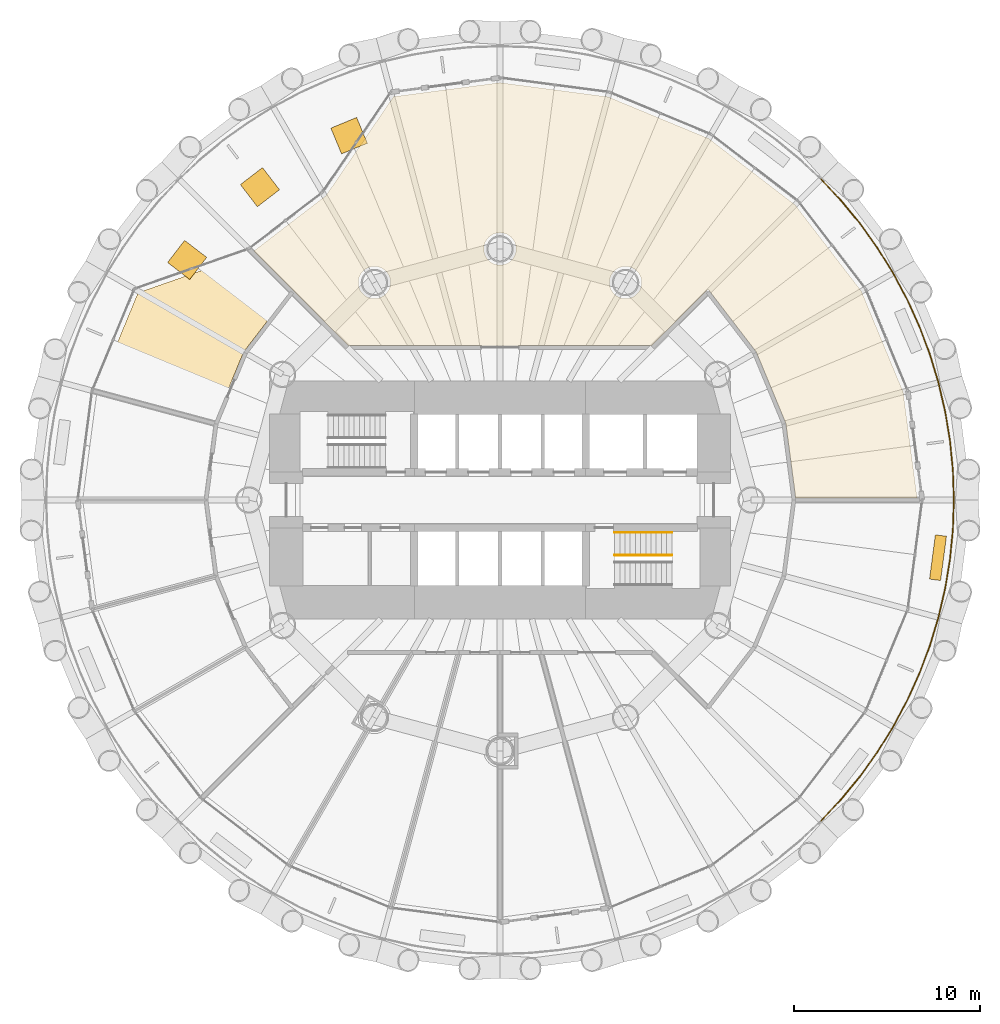
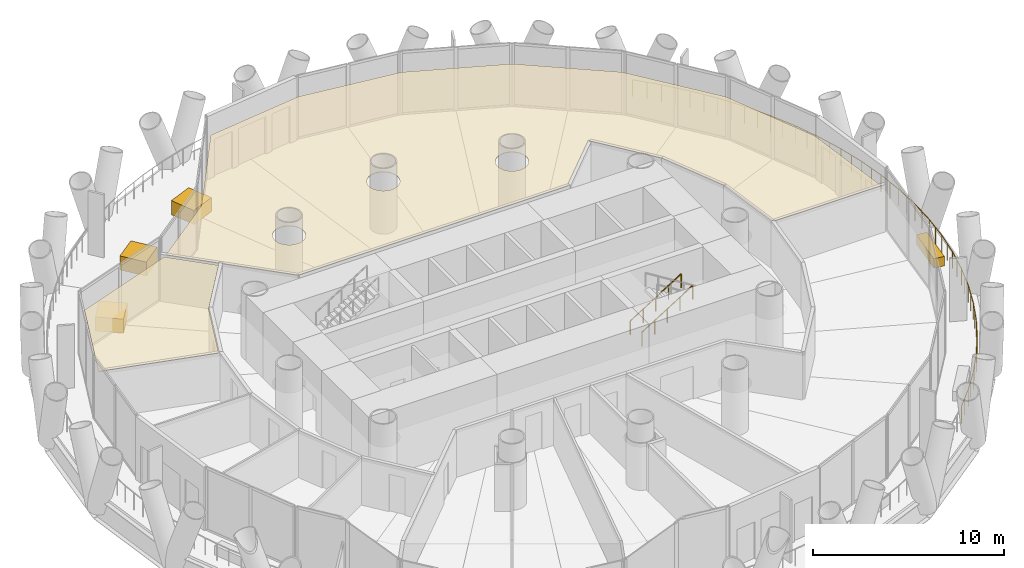
# One storey, part 13 of 14: 6 coverings, 3 railings.
"""IFC4 building model written with IfcOpenShell, lengths in metres."""

from ifc_helpers import new_model, si_unit, direction, frame, origin, origin_2d, place, context, subcontext, project, spatial, polyline, rectangle, circle, outline, extrude, material, layer, layer_set, type_object, element, save


model = new_model("IFC4")

# Units and contexts
model_context = context("Model", 3, precision=1e-05, world=origin(), true_north=direction((0.0, 1.0)))
body_context = subcontext(model_context, "Body", "Model", "MODEL_VIEW")
ifc_project = project(units=[si_unit("LENGTHUNIT", "METRE"), si_unit("AREAUNIT", "SQUARE_METRE"), si_unit("VOLUMEUNIT", "CUBIC_METRE"), si_unit("PLANEANGLEUNIT", "RADIAN"), si_unit("MASSUNIT", "GRAM", prefix="KILO")], contexts=[model_context])

# Site, building, storey
site_placement = place(None, origin())
site = spatial("IfcSite", under=ifc_project, at=site_placement, CompositionType="ELEMENT")
building_placement = place(site_placement, origin())
building = spatial("IfcBuilding", under=site, at=building_placement, Name="Qaws Media Tower", CompositionType="ELEMENT")
storey_placement = place(building_placement, frame((0.0, 0.0, 59.60009765625)))
storey = spatial("IfcBuildingStorey", under=building, at=storey_placement, Name="L12", CompositionType="ELEMENT", Elevation=59.60009765625)

# Coverings
ifc_material_1 = material(Name="40 perforated acoustic panels with mineral wool backing, suspended", Category="mineral fibre")
ifc_layer_1 = layer(ifc_material_1, 0.0400390625)
ifc_layer_set_1 = layer_set([ifc_layer_1], Name="Acoustic panel ceiling 40")
covering_type_1 = type_object("IfcCoveringType", Name="Acoustic panel ceiling 40", PredefinedType="CEILING", material=ifc_layer_set_1)
covering_1_placement = place(storey_placement, frame((0.0, 0.0, 2.849853515625)))
element("IfcCovering", 1, at=covering_1_placement, inside=storey, type_object=covering_type_1, Name="CL3 ceiling L12-02 Newsroom", PredefinedType="CEILING", context=body_context, shape_type="SweptSolid", body=[
    extrude(outline(polyline([(50.64306640625, 66.3583984375), (54.275390625, 71.681640625), (60.0, 72.435302734375), (65.806640625, 71.6708984375), (71.217529296875, 69.429443359375), (75.864013671875, 65.864013671875), (79.429443359375, 61.217529296875), (81.6708984375, 55.806640625), (82.42041015625, 50.112548828125), (75.898681640625, 50.112548828125), (75.37109375, 54.11865234375), (73.781494140625, 57.956787109375), (71.183349609375, 61.342529296875), (68.1533203125, 58.3125), (51.8466796875, 58.3125), (46.771484375, 63.3876953125), (50.64306640625, 66.3583984375)]), holes=[polyline([(54.0546875, 61.35791015625), (54.09130859375, 61.4658203125), (54.113525390625, 61.57763671875), (54.12109375, 61.69140625), (54.113525390625, 61.804931640625), (54.09130859375, 61.916748046875), (54.0546875, 62.024658203125), (54.00439453125, 62.126708984375), (53.94091796875, 62.2216796875), (53.865966796875, 62.30712890625), (53.7802734375, 62.38232421875), (53.685546875, 62.44580078125), (53.583251953125, 62.49609375), (53.475341796875, 62.53271484375), (53.36376953125, 62.554931640625), (53.25, 62.562255859375), (53.13623046875, 62.554931640625), (53.024658203125, 62.53271484375), (52.916748046875, 62.49609375), (52.814453125, 62.44580078125), (52.7197265625, 62.38232421875), (52.634033203125, 62.30712890625), (52.55908203125, 62.2216796875), (52.49560546875, 62.126708984375), (52.4453125, 62.024658203125), (52.40869140625, 61.916748046875), (52.386474609375, 61.804931640625), (52.37890625, 61.69140625), (52.386474609375, 61.57763671875), (52.40869140625, 61.4658203125), (52.4453125, 61.35791015625), (52.49560546875, 61.255859375), (52.55908203125, 61.1611328125), (52.634033203125, 61.075439453125), (52.7197265625, 61.000244140625), (52.814453125, 60.93701171875), (52.916748046875, 60.88671875), (53.024658203125, 60.85009765625), (53.13623046875, 60.827880859375), (53.25, 60.8203125), (53.36376953125, 60.827880859375), (53.475341796875, 60.85009765625), (53.583251953125, 60.88671875), (53.685546875, 60.93701171875), (53.7802734375, 61.000244140625), (53.865966796875, 61.075439453125), (53.94091796875, 61.1611328125), (54.00439453125, 61.255859375), (54.0546875, 61.35791015625)]), polyline([(60.8046875, 63.166748046875), (60.84130859375, 63.274658203125), (60.863525390625, 63.38623046875), (60.87109375, 63.5), (60.863525390625, 63.61376953125), (60.84130859375, 63.725341796875), (60.8046875, 63.833251953125), (60.75439453125, 63.935546875), (60.69091796875, 64.0302734375), (60.615966796875, 64.115966796875), (60.5302734375, 64.19091796875), (60.435546875, 64.25439453125), (60.333251953125, 64.3046875), (60.225341796875, 64.34130859375), (60.11376953125, 64.363525390625), (60.0, 64.37109375), (59.88623046875, 64.363525390625), (59.774658203125, 64.34130859375), (59.666748046875, 64.3046875), (59.564453125, 64.25439453125), (59.4697265625, 64.19091796875), (59.384033203125, 64.115966796875), (59.30908203125, 64.0302734375), (59.24560546875, 63.935546875), (59.1953125, 63.833251953125), (59.15869140625, 63.725341796875), (59.136474609375, 63.61376953125), (59.12890625, 63.5), (59.136474609375, 63.38623046875), (59.15869140625, 63.274658203125), (59.1953125, 63.166748046875), (59.24560546875, 63.064453125), (59.30908203125, 62.9697265625), (59.384033203125, 62.884033203125), (59.4697265625, 62.80908203125), (59.564453125, 62.74560546875), (59.666748046875, 62.6953125), (59.774658203125, 62.65869140625), (59.88623046875, 62.636474609375), (60.0, 62.62890625), (60.11376953125, 62.636474609375), (60.225341796875, 62.65869140625), (60.333251953125, 62.6953125), (60.435546875, 62.74560546875), (60.5302734375, 62.80908203125), (60.615966796875, 62.884033203125), (60.69091796875, 62.9697265625), (60.75439453125, 63.064453125), (60.8046875, 63.166748046875)]), polyline([(67.5546875, 61.35791015625), (67.59130859375, 61.4658203125), (67.613525390625, 61.57763671875), (67.62109375, 61.69140625), (67.613525390625, 61.804931640625), (67.59130859375, 61.916748046875), (67.5546875, 62.024658203125), (67.50439453125, 62.126708984375), (67.44091796875, 62.2216796875), (67.365966796875, 62.30712890625), (67.2802734375, 62.38232421875), (67.185546875, 62.44580078125), (67.083251953125, 62.49609375), (66.975341796875, 62.53271484375), (66.86376953125, 62.554931640625), (66.75, 62.562255859375), (66.63623046875, 62.554931640625), (66.524658203125, 62.53271484375), (66.416748046875, 62.49609375), (66.314453125, 62.44580078125), (66.2197265625, 62.38232421875), (66.134033203125, 62.30712890625), (66.05908203125, 62.2216796875), (65.99560546875, 62.126708984375), (65.9453125, 62.024658203125), (65.90869140625, 61.916748046875), (65.886474609375, 61.804931640625), (65.87890625, 61.69140625), (65.886474609375, 61.57763671875), (65.90869140625, 61.4658203125), (65.9453125, 61.35791015625), (65.99560546875, 61.255859375), (66.05908203125, 61.1611328125), (66.134033203125, 61.075439453125), (66.2197265625, 61.000244140625), (66.314453125, 60.93701171875), (66.416748046875, 60.88671875), (66.524658203125, 60.85009765625), (66.63623046875, 60.827880859375), (66.75, 60.8203125), (66.86376953125, 60.827880859375), (66.975341796875, 60.85009765625), (67.083251953125, 60.88671875), (67.185546875, 60.93701171875), (67.2802734375, 61.000244140625), (67.365966796875, 61.075439453125), (67.44091796875, 61.1611328125), (67.50439453125, 61.255859375), (67.5546875, 61.35791015625)])]), origin(), (0.0, 0.0, 1.0), 0.0400390625),
])
covering_2_placement = place(storey_placement, frame((0.0, 0.0, 2.849853515625)))
element("IfcCovering", 2, at=covering_2_placement, inside=storey, type_object=covering_type_1, Name="CL3 ceiling L12-03 News meeting room", PredefinedType="CEILING", context=body_context, shape_type="SweptSolid", body=[
    extrude(outline(polyline([(40.538818359375, 61.14111328125), (46.58251953125, 63.258544921875), (48.678466796875, 61.16259765625), (46.218505859375, 57.956787109375), (44.672119140625, 54.223388671875), (38.372802734375, 55.91162109375), (40.538818359375, 61.14111328125)])), origin(), (0.0, 0.0, 1.0), 0.0400390625),
])

# Railing
ifc_material_2 = material(Name="Stainless steel and glass guard", Category="steel")
railing_type_1 = type_object("IfcRailingType", Name="Balcony guard 1100", PredefinedType="GUARDRAIL", material=ifc_material_2)
railing_placement = place(storey_placement, frame((77.25341796875, 32.74658203125, 0.0)))
element("IfcRailing", 3, at=railing_placement, inside=storey, type_object=railing_type_1, Name="GR1 balcony guard L12-4", PredefinedType="GUARDRAIL", context=body_context, shape_type="SweptSolid", body=[
    extrude(circle(Radius=0.02392578125, at=origin_2d()), frame((0.0, 0.0, 1.076171875), z_axis=(0.683640981839, 0.729818476027, 0.0), x_axis=(-0.729818476027, 0.683640981839, 0.0)), (0.0, 0.0, 1.0), 1.5966796875),
    extrude(circle(Radius=0.02392578125, at=origin_2d()), frame((1.091552734375, 1.165283203125, 1.076171875), z_axis=(0.634361127386, 0.773036842629, 0.0), x_axis=(-0.773036842629, 0.634361127386, 0.0)), (0.0, 0.0, 1.0), 1.5966796875),
    extrude(circle(Radius=0.02392578125, at=origin_2d()), frame((2.1044921875, 2.399658203125, 1.076171875), z_axis=(0.582438119358, 0.812875043976, 0.0), x_axis=(-0.812875043976, 0.582438119358, 0.0)), (0.0, 0.0, 1.0), 1.5966796875),
    extrude(circle(Radius=0.02392578125, at=origin_2d()), frame((3.034423828125, 3.697509765625, 1.076171875), z_axis=(0.528101023183, 0.849181552622, 0.0), x_axis=(-0.849181552622, 0.528101023183, 0.0)), (0.0, 0.0, 1.0), 1.5966796875),
    extrude(circle(Radius=0.02392578125, at=origin_2d()), frame((3.877685546875, 5.053466796875, 1.076171875), z_axis=(0.471389573817, 0.881925093019, 0.0), x_axis=(-0.881925093019, 0.471389573817, 0.0)), (0.0, 0.0, 1.0), 1.5966796875),
    extrude(circle(Radius=0.02392578125, at=origin_2d()), frame((4.63037109375, 6.461669921875, 1.076171875), z_axis=(0.412696679624, 0.910868514456, 0.0), x_axis=(-0.910868514456, 0.412696679624, 0.0)), (0.0, 0.0, 1.0), 1.5966796875),
    extrude(circle(Radius=0.02392578125, at=origin_2d()), frame((5.289306640625, 7.916015625, 1.076171875), z_axis=(0.352145406881, 0.935945304178, 0.0), x_axis=(-0.935945304178, 0.352145406881, 0.0)), (0.0, 0.0, 1.0), 1.5966796875),
    extrude(circle(Radius=0.02392578125, at=origin_2d()), frame((5.8515625, 9.410400390625, 1.076171875), z_axis=(0.290376596051, 0.956912447649, 0.0), x_axis=(-0.956912447649, 0.290376596051, 0.0)), (0.0, 0.0, 1.0), 1.5966796875),
    extrude(circle(Radius=0.02392578125, at=origin_2d()), frame((6.315185546875, 10.938232421875, 1.076171875), z_axis=(0.227070097211, 0.973878416925, 0.0), x_axis=(-0.973878416925, 0.227070097211, 0.0)), (0.0, 0.0, 1.0), 1.5966796875),
    extrude(circle(Radius=0.02392578125, at=origin_2d()), frame((6.677734375, 12.4931640625, 1.076171875), z_axis=(0.162836738606, 0.986653027442, 0.0), x_axis=(-0.986653027442, 0.162836738606, 0.0)), (0.0, 0.0, 1.0), 1.5966796875),
    extrude(circle(Radius=0.02392578125, at=origin_2d()), frame((6.937744140625, 14.068603515625, 1.076171875), z_axis=(0.098019858359, 0.995184458966, 0.0), x_axis=(-0.995184458966, 0.098019858359, 0.0)), (0.0, 0.0, 1.0), 1.596435546875),
    extrude(circle(Radius=0.02392578125, at=origin_2d()), frame((7.09423828125, 15.657470703125, 1.076171875), z_axis=(0.032719201604, 0.999464583588, 0.0), x_axis=(-0.999464583588, 0.032719201604, 0.0)), (0.0, 0.0, 1.0), 1.596923828125),
    extrude(circle(Radius=0.02392578125, at=origin_2d()), frame((7.146484375, 17.25341796875, 1.076171875), z_axis=(-0.032719201604, 0.999464583588, 0.0), x_axis=(-0.999464583588, -0.032719201604, 0.0)), (0.0, 0.0, 1.0), 1.596923828125),
    extrude(circle(Radius=0.02392578125, at=origin_2d()), frame((7.09423828125, 18.849365234375, 1.076171875), z_axis=(-0.098019858359, 0.995184458966, 0.0), x_axis=(-0.995184458966, -0.098019858359, 0.0)), (0.0, 0.0, 1.0), 1.596435546875),
    extrude(circle(Radius=0.02392578125, at=origin_2d()), frame((6.937744140625, 20.438232421875, 1.076171875), z_axis=(-0.162836738606, 0.986653027442, 0.0), x_axis=(-0.986653027442, -0.162836738606, 0.0)), (0.0, 0.0, 1.0), 1.5966796875),
    extrude(circle(Radius=0.02392578125, at=origin_2d()), frame((6.677734375, 22.013671875, 1.076171875), z_axis=(-0.227070097211, 0.973878416925, 0.0), x_axis=(-0.973878416925, -0.227070097211, 0.0)), (0.0, 0.0, 1.0), 1.5966796875),
    extrude(circle(Radius=0.02392578125, at=origin_2d()), frame((6.315185546875, 23.568603515625, 1.076171875), z_axis=(-0.290376596051, 0.956912447649, 0.0), x_axis=(-0.956912447649, -0.290376596051, 0.0)), (0.0, 0.0, 1.0), 1.5966796875),
    extrude(circle(Radius=0.02392578125, at=origin_2d()), frame((5.8515625, 25.096435546875, 1.076171875), z_axis=(-0.352145406881, 0.935945304178, 0.0), x_axis=(-0.935945304178, -0.352145406881, 0.0)), (0.0, 0.0, 1.0), 1.5966796875),
    extrude(circle(Radius=0.02392578125, at=origin_2d()), frame((5.289306640625, 26.5908203125, 1.076171875), z_axis=(-0.412696679624, 0.910868514456, 0.0), x_axis=(-0.910868514456, -0.412696679624, 0.0)), (0.0, 0.0, 1.0), 1.5966796875),
    extrude(circle(Radius=0.02392578125, at=origin_2d()), frame((4.63037109375, 28.045166015625, 1.076171875), z_axis=(-0.471389573817, 0.881925093019, 0.0), x_axis=(-0.881925093019, -0.471389573817, 0.0)), (0.0, 0.0, 1.0), 1.5966796875),
    extrude(circle(Radius=0.02392578125, at=origin_2d()), frame((3.877685546875, 29.453369140625, 1.076171875), z_axis=(-0.528101023183, 0.849181552622, 0.0), x_axis=(-0.849181552622, -0.528101023183, 0.0)), (0.0, 0.0, 1.0), 1.5966796875),
    extrude(circle(Radius=0.02392578125, at=origin_2d()), frame((3.034423828125, 30.809326171875, 1.076171875), z_axis=(-0.582438119358, 0.812875043976, 0.0), x_axis=(-0.812875043976, -0.582438119358, 0.0)), (0.0, 0.0, 1.0), 1.5966796875),
    extrude(circle(Radius=0.02392578125, at=origin_2d()), frame((2.1044921875, 32.107177734375, 1.076171875), z_axis=(-0.634361127386, 0.773036842629, 0.0), x_axis=(-0.773036842629, -0.634361127386, 0.0)), (0.0, 0.0, 1.0), 1.5966796875),
    extrude(circle(Radius=0.02392578125, at=origin_2d()), frame((1.091552734375, 33.341552734375, 1.076171875), z_axis=(-0.683640981839, 0.729818476027, 0.0), x_axis=(-0.729818476027, -0.683640981839, 0.0)), (0.0, 0.0, 1.0), 1.5966796875),
    extrude(circle(Radius=0.02099609375, at=origin_2d()), origin(), (0.0, 0.0, 1.0), 1.052001953125),
    extrude(circle(Radius=0.02099609375, at=origin_2d()), frame((0.5458984375, 0.58251953125, 0.0)), (0.0, 0.0, 1.0), 1.052001953125),
    extrude(circle(Radius=0.02099609375, at=origin_2d()), frame((1.091552734375, 1.165283203125, 0.0)), (0.0, 0.0, 1.0), 1.052001953125),
    extrude(circle(Radius=0.02099609375, at=origin_2d()), frame((1.59814453125, 1.782470703125, 0.0)), (0.0, 0.0, 1.0), 1.052001953125),
    extrude(circle(Radius=0.02099609375, at=origin_2d()), frame((2.1044921875, 2.399658203125, 0.0)), (0.0, 0.0, 1.0), 1.052001953125),
    extrude(circle(Radius=0.02099609375, at=origin_2d()), frame((2.5693359375, 3.048583984375, 0.0)), (0.0, 0.0, 1.0), 1.052001953125),
    extrude(circle(Radius=0.02099609375, at=origin_2d()), frame((3.034423828125, 3.697509765625, 0.0)), (0.0, 0.0, 1.0), 1.052001953125),
    extrude(circle(Radius=0.02099609375, at=origin_2d()), frame((3.4560546875, 4.37548828125, 0.0)), (0.0, 0.0, 1.0), 1.052001953125),
    extrude(circle(Radius=0.02099609375, at=origin_2d()), frame((3.877685546875, 5.053466796875, 0.0)), (0.0, 0.0, 1.0), 1.052001953125),
    extrude(circle(Radius=0.02099609375, at=origin_2d()), frame((4.25390625, 5.757568359375, 0.0)), (0.0, 0.0, 1.0), 1.052001953125),
    extrude(circle(Radius=0.02099609375, at=origin_2d()), frame((4.63037109375, 6.461669921875, 0.0)), (0.0, 0.0, 1.0), 1.052001953125),
    extrude(circle(Radius=0.02099609375, at=origin_2d()), frame((4.9599609375, 7.18896484375, 0.0)), (0.0, 0.0, 1.0), 1.052001953125),
    extrude(circle(Radius=0.02099609375, at=origin_2d()), frame((5.289306640625, 7.916015625, 0.0)), (0.0, 0.0, 1.0), 1.052001953125),
    extrude(circle(Radius=0.02099609375, at=origin_2d()), frame((5.5703125, 8.6630859375, 0.0)), (0.0, 0.0, 1.0), 1.052001953125),
    extrude(circle(Radius=0.02099609375, at=origin_2d()), frame((5.8515625, 9.410400390625, 0.0)), (0.0, 0.0, 1.0), 1.052001953125),
    extrude(circle(Radius=0.02099609375, at=origin_2d()), frame((6.08349609375, 10.17431640625, 0.0)), (0.0, 0.0, 1.0), 1.052001953125),
    extrude(circle(Radius=0.02099609375, at=origin_2d()), frame((6.315185546875, 10.938232421875, 0.0)), (0.0, 0.0, 1.0), 1.052001953125),
    extrude(circle(Radius=0.02099609375, at=origin_2d()), frame((6.49658203125, 11.7158203125, 0.0)), (0.0, 0.0, 1.0), 1.052001953125),
    extrude(circle(Radius=0.02099609375, at=origin_2d()), frame((6.677734375, 12.4931640625, 0.0)), (0.0, 0.0, 1.0), 1.052001953125),
    extrude(circle(Radius=0.02099609375, at=origin_2d()), frame((6.8076171875, 13.28076171875, 0.0)), (0.0, 0.0, 1.0), 1.052001953125),
    extrude(circle(Radius=0.02099609375, at=origin_2d()), frame((6.937744140625, 14.068603515625, 0.0)), (0.0, 0.0, 1.0), 1.052001953125),
    extrude(circle(Radius=0.02099609375, at=origin_2d()), frame((7.01611328125, 14.863037109375, 0.0)), (0.0, 0.0, 1.0), 1.052001953125),
    extrude(circle(Radius=0.02099609375, at=origin_2d()), frame((7.09423828125, 15.657470703125, 0.0)), (0.0, 0.0, 1.0), 1.052001953125),
    extrude(circle(Radius=0.02099609375, at=origin_2d()), frame((7.120361328125, 16.45556640625, 0.0)), (0.0, 0.0, 1.0), 1.052001953125),
    extrude(circle(Radius=0.02099609375, at=origin_2d()), frame((7.146484375, 17.25341796875, 0.0)), (0.0, 0.0, 1.0), 1.052001953125),
    extrude(circle(Radius=0.02099609375, at=origin_2d()), frame((7.120361328125, 18.05126953125, 0.0)), (0.0, 0.0, 1.0), 1.052001953125),
    extrude(circle(Radius=0.02099609375, at=origin_2d()), frame((7.09423828125, 18.849365234375, 0.0)), (0.0, 0.0, 1.0), 1.052001953125),
    extrude(circle(Radius=0.02099609375, at=origin_2d()), frame((7.01611328125, 19.643798828125, 0.0)), (0.0, 0.0, 1.0), 1.052001953125),
    extrude(circle(Radius=0.02099609375, at=origin_2d()), frame((6.937744140625, 20.438232421875, 0.0)), (0.0, 0.0, 1.0), 1.052001953125),
    extrude(circle(Radius=0.02099609375, at=origin_2d()), frame((6.8076171875, 21.22607421875, 0.0)), (0.0, 0.0, 1.0), 1.052001953125),
    extrude(circle(Radius=0.02099609375, at=origin_2d()), frame((6.677734375, 22.013671875, 0.0)), (0.0, 0.0, 1.0), 1.052001953125),
    extrude(circle(Radius=0.02099609375, at=origin_2d()), frame((6.49658203125, 22.791015625, 0.0)), (0.0, 0.0, 1.0), 1.052001953125),
    extrude(circle(Radius=0.02099609375, at=origin_2d()), frame((6.315185546875, 23.568603515625, 0.0)), (0.0, 0.0, 1.0), 1.052001953125),
    extrude(circle(Radius=0.02099609375, at=origin_2d()), frame((6.08349609375, 24.33251953125, 0.0)), (0.0, 0.0, 1.0), 1.052001953125),
    extrude(circle(Radius=0.02099609375, at=origin_2d()), frame((5.8515625, 25.096435546875, 0.0)), (0.0, 0.0, 1.0), 1.052001953125),
    extrude(circle(Radius=0.02099609375, at=origin_2d()), frame((5.5703125, 25.84375, 0.0)), (0.0, 0.0, 1.0), 1.052001953125),
    extrude(circle(Radius=0.02099609375, at=origin_2d()), frame((5.289306640625, 26.5908203125, 0.0)), (0.0, 0.0, 1.0), 1.052001953125),
    extrude(circle(Radius=0.02099609375, at=origin_2d()), frame((4.9599609375, 27.31787109375, 0.0)), (0.0, 0.0, 1.0), 1.052001953125),
    extrude(circle(Radius=0.02099609375, at=origin_2d()), frame((4.63037109375, 28.045166015625, 0.0)), (0.0, 0.0, 1.0), 1.052001953125),
    extrude(circle(Radius=0.02099609375, at=origin_2d()), frame((4.25390625, 28.749267578125, 0.0)), (0.0, 0.0, 1.0), 1.052001953125),
    extrude(circle(Radius=0.02099609375, at=origin_2d()), frame((3.877685546875, 29.453369140625, 0.0)), (0.0, 0.0, 1.0), 1.052001953125),
    extrude(circle(Radius=0.02099609375, at=origin_2d()), frame((3.4560546875, 30.13134765625, 0.0)), (0.0, 0.0, 1.0), 1.052001953125),
    extrude(circle(Radius=0.02099609375, at=origin_2d()), frame((3.034423828125, 30.809326171875, 0.0)), (0.0, 0.0, 1.0), 1.052001953125),
    extrude(circle(Radius=0.02099609375, at=origin_2d()), frame((2.5693359375, 31.458251953125, 0.0)), (0.0, 0.0, 1.0), 1.052001953125),
    extrude(circle(Radius=0.02099609375, at=origin_2d()), frame((2.1044921875, 32.107177734375, 0.0)), (0.0, 0.0, 1.0), 1.052001953125),
    extrude(circle(Radius=0.02099609375, at=origin_2d()), frame((1.59814453125, 32.724365234375, 0.0)), (0.0, 0.0, 1.0), 1.052001953125),
    extrude(circle(Radius=0.02099609375, at=origin_2d()), frame((1.091552734375, 33.341552734375, 0.0)), (0.0, 0.0, 1.0), 1.052001953125),
    extrude(circle(Radius=0.02099609375, at=origin_2d()), frame((0.5458984375, 33.92431640625, 0.0)), (0.0, 0.0, 1.0), 1.052001953125),
    extrude(circle(Radius=0.02099609375, at=origin_2d()), frame((0.0, 34.5068359375, 0.0)), (0.0, 0.0, 1.0), 1.052001953125),
])

# Covering
ifc_material_3 = material(Name="Precast concrete planter with trailing planting", Category="concrete")
ifc_layer_2 = layer(ifc_material_3, 0.60009765625)
ifc_layer_set_2 = layer_set([ifc_layer_2], Name="Planter 2400x600")
covering_type_2 = type_object("IfcCoveringType", Name="Planter 2400x600", PredefinedType="USERDEFINED", material=ifc_layer_set_2)
covering_3_placement = place(storey_placement, frame((83.546875, 46.89990234375, -0.000244140625), z_axis=(0.0, 0.0, 1.0), x_axis=(0.13052619222, 0.991444861374, 0.0)))
element("IfcCovering", 4, at=covering_3_placement, inside=storey, type_object=covering_type_2, Name="PL1 balcony planter L12-12", ObjectType="PLANTER", PredefinedType="USERDEFINED", context=body_context, shape_type="SweptSolid", body=[
    extrude(rectangle(XDim=2.39990234375, YDim=0.60009765625, at=origin_2d()), origin(), (0.0, 0.0, 1.0), 0.60009765625),
])

# Railings
ifc_material_4 = material(Name="Steel tube handrail", Category="steel")
railing_type_2 = type_object("IfcRailingType", Name="Stair handrail 900", PredefinedType="HANDRAIL", material=ifc_material_4)
for number, where, name in (
    (5, (66.159912109375, 48.25, 0.1748046875), "HR1 handrail S2 flight 1 L12"),
    (6, (66.159912109375, 47.0400390625, 0.1748046875), "HR1 handrail S2 flight 1 L12"),
):
    element("IfcRailing", number, at=place(storey_placement, frame(where)), inside=storey, type_object=railing_type_2, Name=name, PredefinedType="HANDRAIL", context=body_context, shape_type="SweptSolid", body=[
        extrude(circle(Radius=0.02392578125, at=origin_2d()), frame((0.0, 0.0, 0.8759765625), z_axis=(0.847998304005, 0.0, 0.529998940003), x_axis=(0.0, 1.0, 0.0)), (0.0, 0.0, 1.0), 3.632080078125),
        extrude(circle(Radius=0.02099609375, at=origin_2d()), origin(), (0.0, 0.0, 1.0), 0.851806640625),
        extrude(circle(Radius=0.02099609375, at=origin_2d()), frame((0.77001953125, 0.0, 0.481201171875)), (0.0, 0.0, 1.0), 0.851806640625),
        extrude(circle(Radius=0.02099609375, at=origin_2d()), frame((1.5400390625, 0.0, 0.96240234375)), (0.0, 0.0, 1.0), 0.851806640625),
        extrude(circle(Radius=0.02099609375, at=origin_2d()), frame((2.31005859375, 0.0, 1.44384765625)), (0.0, 0.0, 1.0), 0.851806640625),
        extrude(circle(Radius=0.02099609375, at=origin_2d()), frame((3.080078125, 0.0, 1.925048828125)), (0.0, 0.0, 1.0), 0.851806640625),
    ])

# Coverings
ifc_material_5 = material(Name="Precast concrete tree planter", Category="concrete")
ifc_layer_3 = layer(ifc_material_5, 0.89990234375)
ifc_layer_set_3 = layer_set([ifc_layer_3], Name="Tree planter 1500")
covering_type_3 = type_object("IfcCoveringType", Name="Tree planter 1500", PredefinedType="USERDEFINED", material=ifc_layer_set_3)
for number, where, z_axis, x_axis, name in (
    (7, (51.88720703125, 69.586181640625, 0.0), (0.0, 0.0, 1.0), (-0.382683432365, 0.923879532511, 0.0), "PL2 sky garden tree planter L12-1"),
    (8, (47.09423828125, 66.819091796875, 0.0), (0.0, 0.0, 1.0), (-0.608761429009, 0.793353340291, 0.0), "PL2 sky garden tree planter L12-2"),
    (9, (43.180908203125, 62.90576171875, 0.0), (0.0, 0.0, 1.0), (-0.793353340291, 0.608761429009, 0.0), "PL2 sky garden tree planter L12-3"),
):
    element("IfcCovering", number, at=place(storey_placement, frame(where, z_axis=z_axis, x_axis=x_axis)), inside=storey, type_object=covering_type_3, Name=name, ObjectType="PLANTER", PredefinedType="USERDEFINED", context=body_context, shape_type="SweptSolid", body=[
        extrude(rectangle(XDim=1.5, YDim=1.5, at=origin_2d()), origin(), (0.0, 0.0, 1.0), 0.89990234375),
    ])

save(model, "model.ifc")
